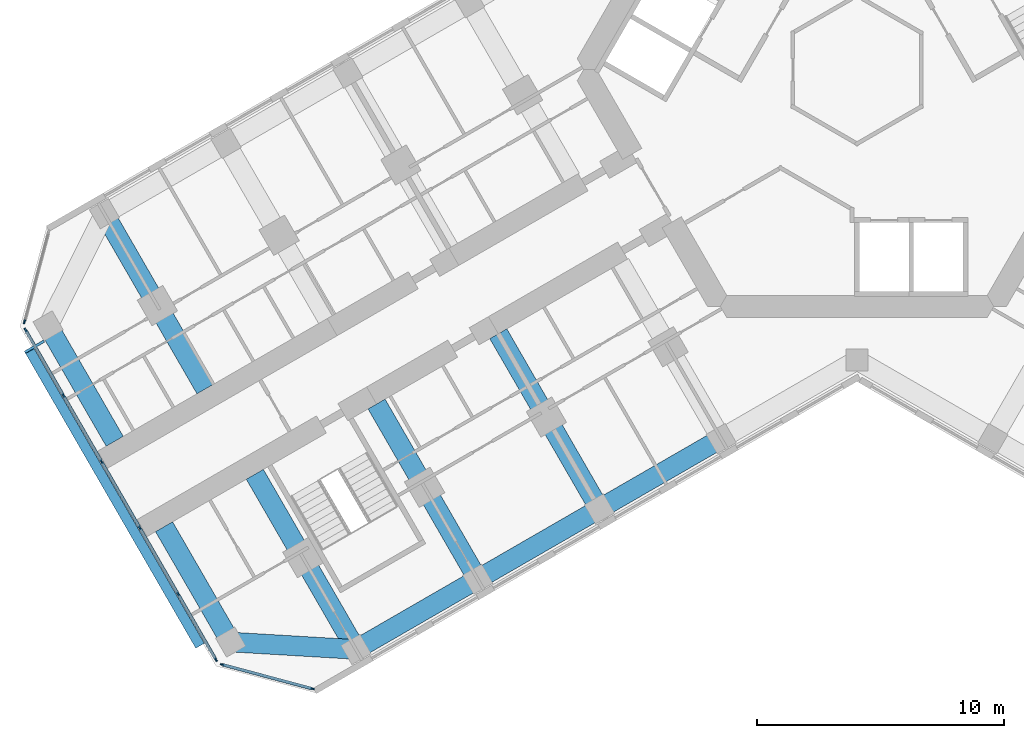
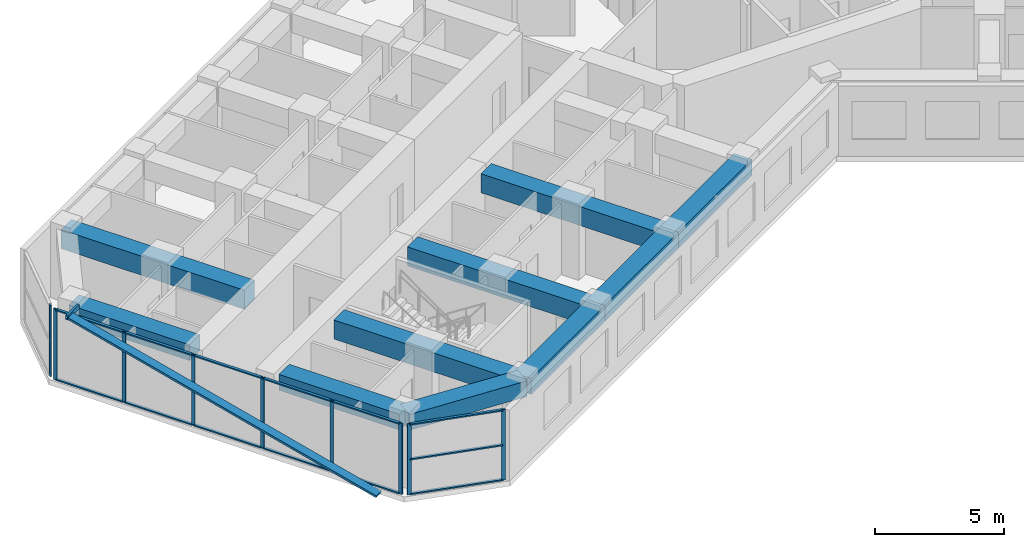
# One storey, part 2 of 19: 24 members, 10 beams, 3 elements without a shape of their own.
"""IFC4 building model written with IfcOpenShell, lengths in metres."""

from ifc_helpers import new_model, si_unit, direction, frame, origin, origin_2d, place, context, subcontext, project, spatial, rectangle, hollow_rectangle, extrude, material, material_profile, profile_set, type_object, element, aggregate, save


model = new_model("IFC4")

# Units and contexts
model_context = context("Model", 3, precision=1e-05, world=origin(), true_north=direction((0.0, 1.0)))
body_context = subcontext(model_context, "Body", "Model", "MODEL_VIEW")
ifc_project = project(units=[si_unit("LENGTHUNIT", "METRE"), si_unit("AREAUNIT", "SQUARE_METRE"), si_unit("VOLUMEUNIT", "CUBIC_METRE"), si_unit("PLANEANGLEUNIT", "RADIAN"), si_unit("MASSUNIT", "GRAM", prefix="KILO")], contexts=[model_context])

# Site, building, storey
site_placement = place(None, origin())
site = spatial("IfcSite", under=ifc_project, at=site_placement, CompositionType="ELEMENT")
building_placement = place(site_placement, origin())
building = spatial("IfcBuilding", under=site, at=building_placement, Name="Kosmar Iwan School Tower", CompositionType="ELEMENT")
storey_placement = place(building_placement, frame((0.0, 0.0, 158.0)))
storey = spatial("IfcBuildingStorey", under=building, at=storey_placement, Name="L39", CompositionType="ELEMENT", Elevation=158.0)

# Members
ifc_material_1 = material(Name="Black anodised aluminium", Category="aluminium")
ifc_material_profile_1 = material_profile(ifc_material_1, rectangle(XDim=0.10009765625, YDim=0.39990234375, at=origin_2d()), Name="FIN 100x400")
ifc_profile_set_1 = profile_set([ifc_material_profile_1], Name="Black anodised aluminium")
member_type_1 = type_object("IfcMemberType", Name="Diagonal fin 100x400", PredefinedType="USERDEFINED", material=ifc_profile_set_1)
member_1_placement = place(storey_placement, frame((-26.645263671875, -23.34912109375, -0.14990234375), z_axis=(-0.483795538458, 0.837973939202, 0.252470897702), x_axis=(0.126233699175, -0.218647221293, 0.967604488318)))
element("IfcMember", 1, at=member_1_placement, inside=storey, type_object=member_type_1, Name="Diagonal fin L39-F13", ObjectType="FIN", PredefinedType="USERDEFINED", context=body_context, shape_type="SweptSolid", body=[
    extrude(rectangle(XDim=0.10009765625, YDim=0.39990234375, at=origin_2d()), origin(), (0.0, 0.0, 1.0), 14.258544921875),
])
ifc_material_2 = material(Name="Steel S355", Category="steel")
ifc_material_profile_2 = material_profile(ifc_material_2, hollow_rectangle(XDim=0.10009765625, YDim=0.199951171875, WallThickness=0.008056640625, at=origin_2d()), Name="RHS 200x100x8")
ifc_profile_set_2 = profile_set([ifc_material_profile_2], Name="Steel S355")
member_type_2 = type_object("IfcMemberType", Name="Fin bracket RHS 200x100", PredefinedType="USERDEFINED", material=ifc_profile_set_2)
member_2_placement = place(storey_placement, frame((-32.963134765625, -11.006103515625, 3.47509765625), z_axis=(-0.866081705922, -0.499902469156, 0.0), x_axis=(0.499902469156, -0.866081705922, 0.0)))
element("IfcMember", 2, at=member_2_placement, inside=storey, type_object=member_type_2, Name="Fin bracket L40", ObjectType="FIN BRACKET", PredefinedType="USERDEFINED", context=body_context, shape_type="SweptSolid", body=[
    extrude(hollow_rectangle(XDim=0.10009765625, YDim=0.199951171875, WallThickness=0.008056640625, at=origin_2d()), origin(), (0.0, 0.0, 1.0), 0.900146484375),
])

# Curtain wall, member
ifc_material_3 = material(Name="Dark glass in black aluminium frame", Category="aluminium")
curtain_wall_type_1 = type_object("IfcCurtainWallType", Name="Chamfer curtain wall dark glass", PredefinedType="USERDEFINED", material=ifc_material_3)
curtain_wall_1_placement = place(storey_placement, origin())
curtain_wall_1 = element("IfcCurtainWall", 3, at=curtain_wall_1_placement, inside=storey, type_object=curtain_wall_type_1, Name="Curtain wall L39-F12", ObjectType="FACETED CURTAIN WALL", PredefinedType="USERDEFINED")
ifc_material_4 = material(Name="Black anodised aluminium", Category="aluminium")
ifc_material_profile_3 = material_profile(ifc_material_4, rectangle(XDim=0.06005859375, YDim=0.159912109375, at=origin_2d()), Name="MULLION 60x160")
ifc_profile_set_3 = profile_set([ifc_material_profile_3], Name="Black anodised aluminium")
member_type_3 = type_object("IfcMemberType", Name="Mullion 60x160", PredefinedType="MULLION", material=ifc_profile_set_3)
member_3_placement = place(storey_placement, frame((-33.7587890625, -10.2236328125, 0.0), z_axis=(0.0, 0.0, 1.0), x_axis=(0.965925875495, -0.258818861462, 0.0)))
member_3 = element("IfcMember", 4, at=member_3_placement, type_object=member_type_3, Name="CW2 mullion 2", PredefinedType="MULLION", context=body_context, shape_type="SweptSolid", body=[
    extrude(rectangle(XDim=0.06005859375, YDim=0.159912109375, at=origin_2d()), origin(), (0.0, 0.0, 1.0), 3.35009765625),
])
aggregate(curtain_wall_1, [member_3])

# Curtain wall, members
ifc_material_5 = material(Name="Dark glass in black aluminium frame", Category="aluminium")
curtain_wall_type_2 = type_object("IfcCurtainWallType", Name="Tower curtain wall dark glass", PredefinedType="USERDEFINED", material=ifc_material_5)
curtain_wall_2_placement = place(storey_placement, origin())
curtain_wall_2 = element("IfcCurtainWall", 5, at=curtain_wall_2_placement, inside=storey, type_object=curtain_wall_type_2, Name="Curtain wall L39-F13", ObjectType="UNITISED CURTAIN WALL", PredefinedType="USERDEFINED")
member_4_placement = place(storey_placement, frame((-33.71533203125, -10.55322265625, 0.0), z_axis=(0.0, 0.0, 1.0), x_axis=(0.866025405329, 0.499999997325, 0.0)))
member_4 = element("IfcMember", 6, at=member_4_placement, type_object=member_type_3, Name="CW1 mullion 1", PredefinedType="MULLION", context=body_context, shape_type="SweptSolid", body=[
    extrude(rectangle(XDim=0.06005859375, YDim=0.159912109375, at=origin_2d()), origin(), (0.0, 0.0, 1.0), 3.35009765625),
])
member_5_placement = place(storey_placement, frame((-32.1806640625, -13.21142578125, 0.0), z_axis=(0.0, 0.0, 1.0), x_axis=(0.866025405329, 0.499999997325, 0.0)))
member_5 = element("IfcMember", 7, at=member_5_placement, type_object=member_type_3, Name="CW1 mullion 2", PredefinedType="MULLION", context=body_context, shape_type="SweptSolid", body=[
    extrude(rectangle(XDim=0.06005859375, YDim=0.159912109375, at=origin_2d()), origin(), (0.0, 0.0, 1.0), 3.35009765625),
])
member_6_placement = place(storey_placement, frame((-30.631103515625, -15.8955078125, 0.0), z_axis=(0.0, 0.0, 1.0), x_axis=(0.866025405329, 0.499999997325, 0.0)))
member_6 = element("IfcMember", 8, at=member_6_placement, type_object=member_type_3, Name="CW1 mullion 3", PredefinedType="MULLION", context=body_context, shape_type="SweptSolid", body=[
    extrude(rectangle(XDim=0.06005859375, YDim=0.159912109375, at=origin_2d()), origin(), (0.0, 0.0, 1.0), 3.35009765625),
])
member_7_placement = place(storey_placement, frame((-29.081298828125, -18.57958984375, 0.0), z_axis=(0.0, 0.0, 1.0), x_axis=(0.866025405329, 0.499999997325, 0.0)))
member_7 = element("IfcMember", 9, at=member_7_placement, type_object=member_type_3, Name="CW1 mullion 4", PredefinedType="MULLION", context=body_context, shape_type="SweptSolid", body=[
    extrude(rectangle(XDim=0.06005859375, YDim=0.159912109375, at=origin_2d()), origin(), (0.0, 0.0, 1.0), 3.35009765625),
])
member_8_placement = place(storey_placement, frame((-27.53173828125, -21.263671875, 0.0), z_axis=(0.0, 0.0, 1.0), x_axis=(0.866025405329, 0.499999997325, 0.0)))
member_8 = element("IfcMember", 10, at=member_8_placement, type_object=member_type_3, Name="CW1 mullion 5", PredefinedType="MULLION", context=body_context, shape_type="SweptSolid", body=[
    extrude(rectangle(XDim=0.06005859375, YDim=0.159912109375, at=origin_2d()), origin(), (0.0, 0.0, 1.0), 3.35009765625),
])
member_9_placement = place(storey_placement, frame((-25.9970703125, -23.921630859375, 0.0), z_axis=(0.0, 0.0, 1.0), x_axis=(0.866025405329, 0.499999997325, 0.0)))
member_9 = element("IfcMember", 11, at=member_9_placement, type_object=member_type_3, Name="CW1 mullion 6", PredefinedType="MULLION", context=body_context, shape_type="SweptSolid", body=[
    extrude(rectangle(XDim=0.06005859375, YDim=0.159912109375, at=origin_2d()), origin(), (0.0, 0.0, 1.0), 3.35009765625),
])

curtain_wall_3_placement = place(storey_placement, origin())
curtain_wall_3 = element("IfcCurtainWall", 12, at=curtain_wall_3_placement, inside=storey, type_object=curtain_wall_type_1, Name="Curtain wall L39-F14", ObjectType="FACETED CURTAIN WALL", PredefinedType="USERDEFINED")
member_10_placement = place(storey_placement, frame((-25.733154296875, -24.124267578125, 0.0), z_axis=(0.0, 0.0, 1.0), x_axis=(0.258818861462, 0.965925875495, 0.0)))
member_10 = element("IfcMember", 13, at=member_10_placement, type_object=member_type_3, Name="CW2 mullion 1", PredefinedType="MULLION", context=body_context, shape_type="SweptSolid", body=[
    extrude(rectangle(XDim=0.06005859375, YDim=0.159912109375, at=origin_2d()), origin(), (0.0, 0.0, 1.0), 3.35009765625),
])
member_11_placement = place(storey_placement, frame((-22.0830078125, -25.102294921875, 0.0), z_axis=(0.0, 0.0, 1.0), x_axis=(0.258818861462, 0.965925875495, 0.0)))
member_11 = element("IfcMember", 14, at=member_11_placement, type_object=member_type_3, Name="CW2 mullion 2", PredefinedType="MULLION", context=body_context, shape_type="SweptSolid", body=[
    extrude(rectangle(XDim=0.06005859375, YDim=0.159912109375, at=origin_2d()), origin(), (0.0, 0.0, 1.0), 3.35009765625),
])

# Beams
ifc_material_6 = material(Name="Concrete C50/60", Category="concrete")
ifc_material_profile_4 = material_profile(ifc_material_6, rectangle(XDim=0.800048828125, YDim=0.75, at=origin_2d()), Name="RC 800x750")
ifc_profile_set_4 = profile_set([ifc_material_profile_4], Name="Concrete C50/60")
beam_type_1 = type_object("IfcBeamType", Name="RC edge beam 800x750", PredefinedType="BEAM", material=ifc_profile_set_4)
beam_1_placement = place(storey_placement, frame((-5.5087890625, -14.95849609375, 2.97509765625), z_axis=(-0.866033658841, -0.49998570155, 0.0), x_axis=(0.49998570155, -0.866033658841, 0.0)))
element("IfcBeam", 15, at=beam_1_placement, inside=storey, type_object=beam_type_1, Name="Edge beam BL2", PredefinedType="BEAM", context=body_context, shape_type="SweptSolid", body=[
    extrude(rectangle(XDim=0.800048828125, YDim=0.75, at=origin_2d()), origin(), (0.0, 0.0, 1.0), 5.699951171875),
])
beam_2_placement = place(storey_placement, frame((-10.445068359375, -17.808349609375, 2.97509765625), z_axis=(-0.866025820012, -0.499999279071, 0.0), x_axis=(0.499999279071, -0.866025820012, 0.0)))
element("IfcBeam", 16, at=beam_2_placement, inside=storey, type_object=beam_type_1, Name="Edge beam BL3", PredefinedType="BEAM", context=body_context, shape_type="SweptSolid", body=[
    extrude(rectangle(XDim=0.800048828125, YDim=0.75, at=origin_2d()), origin(), (0.0, 0.0, 1.0), 5.7001953125),
])
beam_3_placement = place(storey_placement, frame((-15.381591796875, -20.658447265625, 2.97509765625), z_axis=(-0.866015111908, -0.50001782563, 0.0), x_axis=(0.50001782563, -0.866015111908, 0.0)))
element("IfcBeam", 17, at=beam_3_placement, inside=storey, type_object=beam_type_1, Name="Edge beam BL4", PredefinedType="BEAM", context=body_context, shape_type="SweptSolid", body=[
    extrude(rectangle(XDim=0.800048828125, YDim=0.75, at=origin_2d()), origin(), (0.0, 0.0, 1.0), 5.699951171875),
])
ifc_material_7 = material(Name="Concrete C50/60", Category="concrete")
ifc_material_profile_5 = material_profile(ifc_material_7, rectangle(XDim=0.800048828125, YDim=0.75, at=origin_2d()), Name="RC 800x750")
ifc_profile_set_5 = profile_set([ifc_material_profile_5], Name="Concrete C50/60")
beam_type_2 = type_object("IfcBeamType", Name="RC tip beam 800x750", PredefinedType="BEAM", material=ifc_profile_set_5)
beam_4_placement = place(storey_placement, frame((-20.31787109375, -23.508544921875, 2.97509765625), z_axis=(-0.998260616478, 0.058955420358, 0.0), x_axis=(-0.058955420358, -0.998260616478, 0.0)))
element("IfcBeam", 18, at=beam_4_placement, inside=storey, type_object=beam_type_2, Name="Tip beam BL", PredefinedType="BEAM", context=body_context, shape_type="SweptSolid", body=[
    extrude(rectangle(XDim=0.800048828125, YDim=0.75, at=origin_2d()), origin(), (0.0, 0.0, 1.0), 5.08935546875),
])
for number, where, z_axis, x_axis, name in (
    (19, (-25.3984375, -23.20849609375, 2.97509765625), (-0.499995103361, 0.866028230842, 0.0), (-0.866028230842, -0.499995103361, 0.0), "Tip beam BL to corridor wall"),
    (20, (-32.79833984375, -10.391357421875, 2.97509765625), (0.499995103361, -0.866028230842, 0.0), (0.866028230842, 0.499995103361, 0.0), "Tip beam BR to corridor wall"),
):
    element("IfcBeam", number, at=place(storey_placement, frame(where, z_axis=z_axis, x_axis=x_axis)), inside=storey, type_object=beam_type_2, Name=name, PredefinedType="BEAM", context=body_context, shape_type="SweptSolid", body=[
        extrude(rectangle(XDim=0.800048828125, YDim=0.75, at=origin_2d()), origin(), (0.0, 0.0, 1.0), 5.39990234375),
    ])
ifc_material_8 = material(Name="Concrete C50/60", Category="concrete")
ifc_material_profile_6 = material_profile(ifc_material_8, rectangle(XDim=0.800048828125, YDim=0.89990234375, at=origin_2d()), Name="RC 800x900")
ifc_profile_set_6 = profile_set([ifc_material_profile_6], Name="Concrete C50/60")
beam_type_3 = type_object("IfcBeamType", Name="RC transverse beam 800x900", PredefinedType="BEAM", material=ifc_profile_set_6)
for number, where, z_axis, x_axis, name in (
    (21, (-10.445068359375, -17.808349609375, 2.89990234375), (-0.500013681986, 0.866017504342, 0.0), (-0.866017504342, -0.500013681986, 0.0), "Transverse beam BL2"),
    (22, (-15.381591796875, -20.658447265625, 2.89990234375), (-0.49999135188, 0.866030396721, 0.0), (-0.866030396721, -0.49999135188, 0.0), "Transverse beam BL3"),
    (23, (-20.31787109375, -23.508544921875, 2.89990234375), (-0.499978459874, 0.866037839625, 0.0), (-0.866037839625, -0.499978459874, 0.0), "Transverse beam BL4"),
    (24, (-30.517822265625, -5.841552734375, 2.89990234375), (0.500013681986, -0.866017504342, 0.0), (0.866017504342, 0.500013681986, 0.0), "Transverse beam BR4"),
):
    element("IfcBeam", number, at=place(storey_placement, frame(where, z_axis=z_axis, x_axis=x_axis)), inside=storey, type_object=beam_type_3, Name=name, PredefinedType="BEAM", context=body_context, shape_type="SweptSolid", body=[
        extrude(rectangle(XDim=0.800048828125, YDim=0.89990234375, at=origin_2d()), origin(), (0.0, 0.0, 1.0), 8.199951171875),
    ])

# Member
ifc_material_9 = material(Name="Black anodised aluminium", Category="aluminium")
ifc_material_profile_7 = material_profile(ifc_material_9, rectangle(XDim=0.1201171875, YDim=0.06005859375, at=origin_2d()), Name="TRANSOM 60x120")
ifc_profile_set_7 = profile_set([ifc_material_profile_7], Name="Black anodised aluminium")
member_type_4 = type_object("IfcMemberType", Name="Transom 60x120", PredefinedType="USERDEFINED", material=ifc_profile_set_7)
member_12_placement = place(storey_placement, frame((-33.700439453125, -10.579345703125, 0.030029296875), z_axis=(0.500022102064, -0.866012642776, 0.0), x_axis=(0.866012642776, 0.500022102064, 0.0)))
member_12 = element("IfcMember", 25, at=member_12_placement, type_object=member_type_4, Name="CW1 transom 1.1", ObjectType="TRANSOM", PredefinedType="USERDEFINED", context=body_context, shape_type="SweptSolid", body=[
    extrude(rectangle(XDim=0.1201171875, YDim=0.06005859375, at=origin_2d()), origin(), (0.0, 0.0, 1.0), 3.009033203125),
])

member_13_placement = place(storey_placement, frame((-33.700439453125, -10.579345703125, 3.320068359375), z_axis=(0.500022102064, -0.866012642776, 0.0), x_axis=(0.866012642776, 0.500022102064, 0.0)))
member_13 = element("IfcMember", 26, at=member_13_placement, type_object=member_type_4, Name="CW1 transom 1.2", ObjectType="TRANSOM", PredefinedType="USERDEFINED", context=body_context, shape_type="SweptSolid", body=[
    extrude(rectangle(XDim=0.1201171875, YDim=0.06005859375, at=origin_2d()), origin(), (0.0, 0.0, 1.0), 3.009033203125),
])

member_14_placement = place(storey_placement, frame((-32.165771484375, -13.2373046875, 0.030029296875), z_axis=(0.500035348339, -0.866004994449, 0.0), x_axis=(0.866004994449, 0.500035348339, 0.0)))
member_14 = element("IfcMember", 27, at=member_14_placement, type_object=member_type_4, Name="CW1 transom 2.1", ObjectType="TRANSOM", PredefinedType="USERDEFINED", context=body_context, shape_type="SweptSolid", body=[
    extrude(rectangle(XDim=0.1201171875, YDim=0.06005859375, at=origin_2d()), origin(), (0.0, 0.0, 1.0), 3.039306640625),
])

member_15_placement = place(storey_placement, frame((-32.165771484375, -13.2373046875, 3.320068359375), z_axis=(0.500035348339, -0.866004994449, 0.0), x_axis=(0.866004994449, 0.500035348339, 0.0)))
member_15 = element("IfcMember", 28, at=member_15_placement, type_object=member_type_4, Name="CW1 transom 2.2", ObjectType="TRANSOM", PredefinedType="USERDEFINED", context=body_context, shape_type="SweptSolid", body=[
    extrude(rectangle(XDim=0.1201171875, YDim=0.06005859375, at=origin_2d()), origin(), (0.0, 0.0, 1.0), 3.039306640625),
])

member_16_placement = place(storey_placement, frame((-30.615966796875, -15.92138671875, 0.030029296875), z_axis=(0.499975102327, -0.866039777986, 0.0), x_axis=(0.866039777986, 0.499975102327, 0.0)))
member_16 = element("IfcMember", 29, at=member_16_placement, type_object=member_type_4, Name="CW1 transom 3.1", ObjectType="TRANSOM", PredefinedType="USERDEFINED", context=body_context, shape_type="SweptSolid", body=[
    extrude(rectangle(XDim=0.1201171875, YDim=0.06005859375, at=origin_2d()), origin(), (0.0, 0.0, 1.0), 3.039306640625),
])

member_17_placement = place(storey_placement, frame((-30.615966796875, -15.92138671875, 3.320068359375), z_axis=(0.499975102327, -0.866039777986, 0.0), x_axis=(0.866039777986, 0.499975102327, 0.0)))
member_17 = element("IfcMember", 30, at=member_17_placement, type_object=member_type_4, Name="CW1 transom 3.2", ObjectType="TRANSOM", PredefinedType="USERDEFINED", context=body_context, shape_type="SweptSolid", body=[
    extrude(rectangle(XDim=0.1201171875, YDim=0.06005859375, at=origin_2d()), origin(), (0.0, 0.0, 1.0), 3.039306640625),
])

member_18_placement = place(storey_placement, frame((-29.06640625, -18.60546875, 0.030029296875), z_axis=(0.499975102327, -0.866039777986, 0.0), x_axis=(0.866039777986, 0.499975102327, 0.0)))
member_18 = element("IfcMember", 31, at=member_18_placement, type_object=member_type_4, Name="CW1 transom 4.1", ObjectType="TRANSOM", PredefinedType="USERDEFINED", context=body_context, shape_type="SweptSolid", body=[
    extrude(rectangle(XDim=0.1201171875, YDim=0.06005859375, at=origin_2d()), origin(), (0.0, 0.0, 1.0), 3.039306640625),
])

member_19_placement = place(storey_placement, frame((-29.06640625, -18.60546875, 3.320068359375), z_axis=(0.499975102327, -0.866039777986, 0.0), x_axis=(0.866039777986, 0.499975102327, 0.0)))
member_19 = element("IfcMember", 32, at=member_19_placement, type_object=member_type_4, Name="CW1 transom 4.2", ObjectType="TRANSOM", PredefinedType="USERDEFINED", context=body_context, shape_type="SweptSolid", body=[
    extrude(rectangle(XDim=0.1201171875, YDim=0.06005859375, at=origin_2d()), origin(), (0.0, 0.0, 1.0), 3.039306640625),
])

member_20_placement = place(storey_placement, frame((-27.516845703125, -21.28955078125, 0.030029296875), z_axis=(0.499986971506, -0.866032925658, 0.0), x_axis=(0.866032925658, 0.499986971506, 0.0)))
member_20 = element("IfcMember", 33, at=member_20_placement, type_object=member_type_4, Name="CW1 transom 5.1", ObjectType="TRANSOM", PredefinedType="USERDEFINED", context=body_context, shape_type="SweptSolid", body=[
    extrude(rectangle(XDim=0.1201171875, YDim=0.06005859375, at=origin_2d()), origin(), (0.0, 0.0, 1.0), 3.00927734375),
])

member_21_placement = place(storey_placement, frame((-27.516845703125, -21.28955078125, 3.320068359375), z_axis=(0.499986971506, -0.866032925658, 0.0), x_axis=(0.866032925658, 0.499986971506, 0.0)))
member_21 = element("IfcMember", 34, at=member_21_placement, type_object=member_type_4, Name="CW1 transom 5.2", ObjectType="TRANSOM", PredefinedType="USERDEFINED", context=body_context, shape_type="SweptSolid", body=[
    extrude(rectangle(XDim=0.1201171875, YDim=0.06005859375, at=origin_2d()), origin(), (0.0, 0.0, 1.0), 3.00927734375),
])

aggregate(curtain_wall_2, [member_4, member_5, member_6, member_7, member_8, member_9, member_12, member_13, member_14, member_15, member_16, member_17, member_18, member_19, member_20, member_21])

member_22_placement = place(storey_placement, frame((-25.704345703125, -24.1318359375, 0.030029296875), z_axis=(0.965923731726, -0.258826861991, 0.0), x_axis=(0.258826861991, 0.965923731726, 0.0)))
member_22 = element("IfcMember", 35, at=member_22_placement, type_object=member_type_4, Name="CW2 transom 1.1", ObjectType="TRANSOM", PredefinedType="USERDEFINED", context=body_context, shape_type="SweptSolid", body=[
    extrude(rectangle(XDim=0.1201171875, YDim=0.06005859375, at=origin_2d()), origin(), (0.0, 0.0, 1.0), 3.71923828125),
])

member_23_placement = place(storey_placement, frame((-25.704345703125, -24.1318359375, 1.675048828125), z_axis=(0.965923731726, -0.258826861991, 0.0), x_axis=(0.258826861991, 0.965923731726, 0.0)))
member_23 = element("IfcMember", 36, at=member_23_placement, type_object=member_type_4, Name="CW2 transom 1.2", ObjectType="TRANSOM", PredefinedType="USERDEFINED", context=body_context, shape_type="SweptSolid", body=[
    extrude(rectangle(XDim=0.1201171875, YDim=0.06005859375, at=origin_2d()), origin(), (0.0, 0.0, 1.0), 3.71923828125),
])

member_24_placement = place(storey_placement, frame((-25.704345703125, -24.1318359375, 3.320068359375), z_axis=(0.965923731726, -0.258826861991, 0.0), x_axis=(0.258826861991, 0.965923731726, 0.0)))
member_24 = element("IfcMember", 37, at=member_24_placement, type_object=member_type_4, Name="CW2 transom 1.3", ObjectType="TRANSOM", PredefinedType="USERDEFINED", context=body_context, shape_type="SweptSolid", body=[
    extrude(rectangle(XDim=0.1201171875, YDim=0.06005859375, at=origin_2d()), origin(), (0.0, 0.0, 1.0), 3.71923828125),
])

aggregate(curtain_wall_3, [member_10, member_11, member_22, member_23, member_24])

save(model, "model.ifc")
